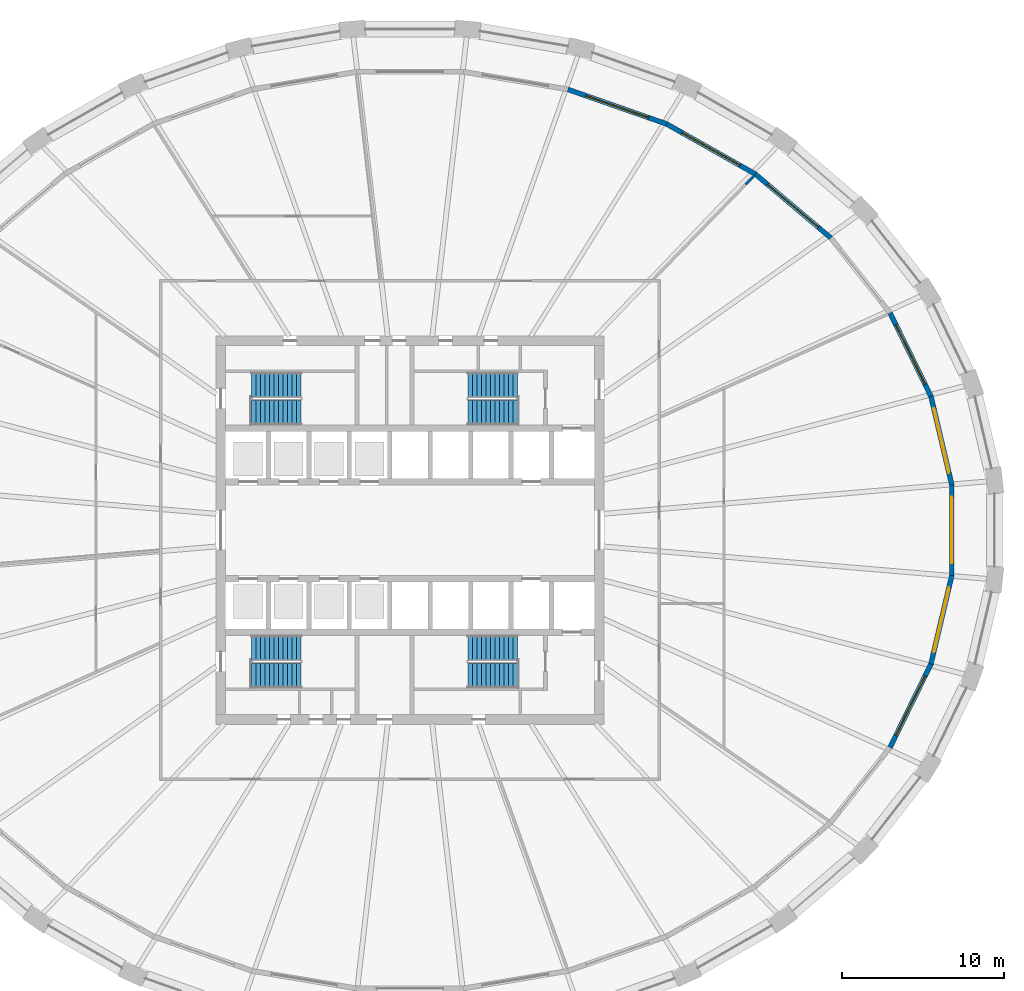
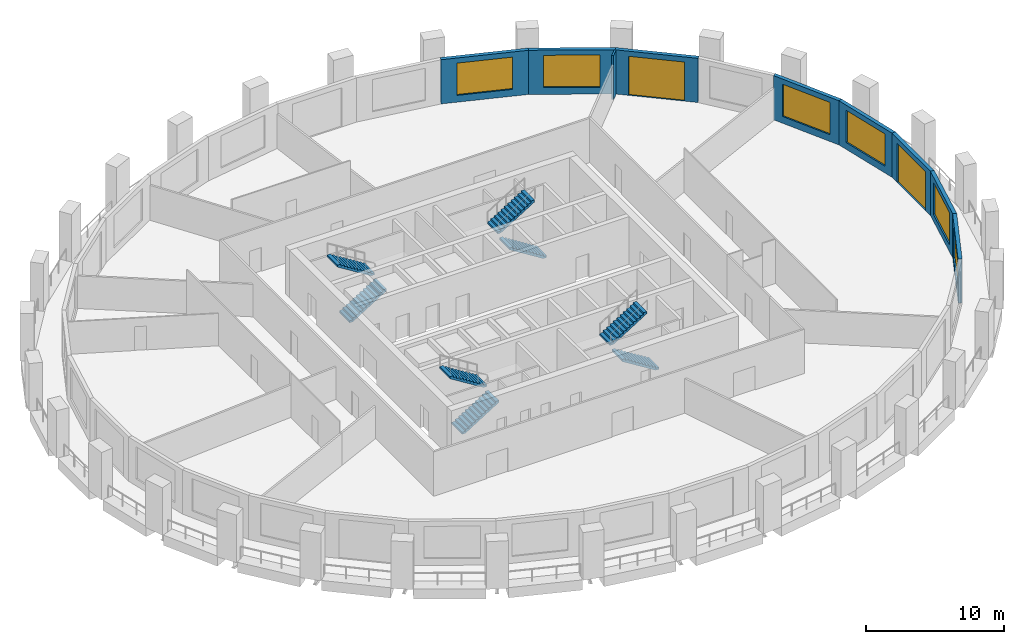
# One storey, part 7 of 10: 9 walls, 8 stair flights, 6 windows, 2 doors, 8 openings, 4 elements without a shape of their own.
"""IFC4 building model written with IfcOpenShell, lengths in metres."""

from ifc_helpers import new_model, si_unit, direction, frame, frame_2d, origin, place, context, subcontext, project, spatial, polyline, rectangle, outline, extrude, material, layer, layer_set, type_object, element, fill, aggregate, save


model = new_model("IFC4")

# Units and contexts
model_context = context("Model", 3, precision=1e-05, world=origin(), true_north=direction((0.0, 1.0)))
body_context = subcontext(model_context, "Body", "Model", "MODEL_VIEW")
ifc_project = project(units=[si_unit("LENGTHUNIT", "METRE"), si_unit("AREAUNIT", "SQUARE_METRE"), si_unit("VOLUMEUNIT", "CUBIC_METRE"), si_unit("PLANEANGLEUNIT", "RADIAN"), si_unit("MASSUNIT", "GRAM", prefix="KILO")], contexts=[model_context])

# Site, building, storey
site_placement = place(None, origin())
site = spatial("IfcSite", under=ifc_project, at=site_placement, CompositionType="ELEMENT")
building_placement = place(site_placement, origin())
building = spatial("IfcBuilding", under=site, at=building_placement, Name="Halqa Exchange Tower", CompositionType="ELEMENT")
storey_placement = place(building_placement, frame((0.0, 0.0, 90.699951171875)))
storey = spatial("IfcBuildingStorey", under=building, at=storey_placement, Name="L20", CompositionType="ELEMENT", Elevation=90.699951171875)

# Wall
ifc_material_1 = material(Name="Fire-rated gypsum board")
ifc_layer_1 = layer(ifc_material_1, 0.14990234375)
ifc_layer_set_1 = layer_set([ifc_layer_1], Name="Fire-rated gypsum board")
wall_type_1 = type_object("IfcWallType", Name="Fire partition EI 60 150", PredefinedType="PARTITIONING", material=ifc_layer_set_1)
wall_1_placement = place(storey_placement, frame((20.738525390625, 21.357666015625, 0.0), z_axis=(0.0, 0.0, 1.0), x_axis=(0.697039010439, 0.717033205595, 0.0)))
element("IfcWall", 1, at=wall_1_placement, inside=storey, type_object=wall_type_1, Name="L20-PWL-024", PredefinedType="PARTITIONING", context=body_context, shape_type="SweptSolid", body=[
    extrude(outline(polyline([(0.0, 0.074951171875), (0.0, -0.074951171875), (0.708251953125, -0.074951171875), (0.708251953125, 0.074951171875), (0.0, 0.074951171875)])), origin(), (0.0, 0.0, 1.0), 3.900146484375),
])

# Wall, opening, window
ifc_material_2 = material(Name="Limestone cladding", Category="masonry")
ifc_layer_2 = layer(ifc_material_2, 0.0400390625)
ifc_material_3 = material(Name="Ventilated cavity")
ifc_layer_3 = layer(ifc_material_3, 0.030029296875, ventilated=True)
ifc_material_4 = material(Name="Mineral wool insulation")
ifc_layer_4 = layer(ifc_material_4, 0.10009765625)
ifc_material_5 = material(Name="Concrete C30/37", Category="concrete")
ifc_layer_5 = layer(ifc_material_5, 0.10009765625)
ifc_material_6 = material(Name="Internal plaster")
ifc_layer_6 = layer(ifc_material_6, 0.030029296875)
ifc_layer_set_2 = layer_set([ifc_layer_2, ifc_layer_3, ifc_layer_4, ifc_layer_5, ifc_layer_6], Name="Stone-faced insulated wall 300")
wall_type_2 = type_object("IfcWallType", Name="Stone-faced insulated wall 300", PredefinedType="STANDARD", material=ifc_layer_set_2)
wall_2_placement = place(storey_placement, frame((33.478271484375, 2.791748046875, 0.0), z_axis=(0.0, 0.0, 1.0), x_axis=(-0.229073200999, 0.973409198941, 0.0)))
wall_2 = element("IfcWall", 2, at=wall_2_placement, inside=storey, type_object=wall_type_2, Name="Glass-line wall 1", PredefinedType="STANDARD", context=body_context, shape_type="SweptSolid", body=[
    extrude(outline(polyline([(-0.017333984375, -0.14990234375), (5.64208984375, -0.14990234375), (5.6083984375, 0.14990234375), (0.017333984375, 0.14990234375), (-0.017333984375, -0.14990234375)])), origin(), (0.0, 0.0, 1.0), 3.900146484375),
])
opening_1_placement = place(wall_2_placement, frame((0.7626953125, 0.0, 0.60009765625)))
opening_1 = element("IfcOpeningElement", 3, at=opening_1_placement, cuts=wall_2, Name="Opening W-F1-01", PredefinedType="OPENING", context=body_context, shape_type="SweptSolid", body=[
    extrude(rectangle(XDim=4.10009765625, YDim=2.85009765625, at=frame_2d((2.050048828125, 1.425048828125))), frame((0.0, 0.162109375, 0.0), z_axis=(0.0, -1.0, 0.0), x_axis=(1.0, 0.0, 0.0)), (0.0, 0.0, 1.0), 0.323974609375),
])
ifc_material_7 = material(Name="Clear low-emissivity glass in aluminium frame", Category="aluminium")
window_type = type_object("IfcWindowType", Name="Fixed clear glazed window 4100 x 2850", PartitioningType="TRIPLE_PANEL_VERTICAL", PredefinedType="WINDOW", material=ifc_material_7)
window_1_placement = place(opening_1_placement, origin())
window_1 = element("IfcWindow", 4, at=window_1_placement, inside=storey, type_object=window_type, Name="Window 1", OverallHeight=2.85009765625, OverallWidth=4.10009765625, PartitioningType="TRIPLE_PANEL_VERTICAL", PredefinedType="WINDOW", context=body_context, shape_type="SweptSolid", body=[
    extrude(rectangle(XDim=4.10009765625, YDim=2.85009765625, at=frame_2d((2.050048828125, 1.425048828125))), frame((0.0, 0.030029296875, 0.0), z_axis=(0.0, -1.0, 0.0), x_axis=(1.0, 0.0, 0.0)), (0.0, 0.0, 1.0), 0.06005859375),
])
fill(opening_1, window_1)

wall_3_placement = place(storey_placement, frame((32.189697265625, 8.267333984375, 0.0), z_axis=(0.0, 0.0, 1.0), x_axis=(-0.44010747541, 0.897945104162, 0.0)))
wall_3 = element("IfcWall", 5, at=wall_3_placement, inside=storey, type_object=wall_type_2, Name="Glass-line wall 2", PredefinedType="STANDARD", context=body_context, shape_type="SweptSolid", body=[
    extrude(outline(polyline([(-0.016845703125, -0.14990234375), (5.758056640625, -0.14990234375), (5.725830078125, 0.14990234375), (0.016845703125, 0.14990234375), (-0.016845703125, -0.14990234375)])), origin(), (0.0, 0.0, 1.0), 3.900146484375),
])
opening_2_placement = place(wall_3_placement, frame((0.821044921875, 0.0, 0.60009765625)))
opening_2 = element("IfcOpeningElement", 6, at=opening_2_placement, cuts=wall_3, Name="Opening W-F1-02", PredefinedType="OPENING", context=body_context, shape_type="SweptSolid", body=[
    extrude(rectangle(XDim=4.10009765625, YDim=2.85009765625, at=frame_2d((2.050048828125, 1.425048828125))), frame((0.0, 0.162109375, 0.0), z_axis=(0.0, -1.0, 0.0), x_axis=(1.0, 0.0, 0.0)), (0.0, 0.0, 1.0), 0.323974609375),
])
window_2_placement = place(opening_2_placement, origin())
window_2 = element("IfcWindow", 7, at=window_2_placement, inside=storey, type_object=window_type, Name="Window 1", OverallHeight=2.85009765625, OverallWidth=4.10009765625, PartitioningType="TRIPLE_PANEL_VERTICAL", PredefinedType="WINDOW", context=body_context, shape_type="SweptSolid", body=[
    extrude(rectangle(XDim=4.10009765625, YDim=2.85009765625, at=frame_2d((2.050048828125, 1.425048828125))), frame((0.0, 0.030029296875, 0.0), z_axis=(0.0, -1.0, 0.0), x_axis=(1.0, 0.0, 0.0)), (0.0, 0.0, 1.0), 0.06005859375),
])
fill(opening_2, window_2)

# Wall, opening, door
wall_4_placement = place(storey_placement, frame((25.99609375, 18.0615234375, 0.0), z_axis=(0.0, 0.0, 1.0), x_axis=(-0.763753100684, 0.645508482667, 0.0)))
wall_4 = element("IfcWall", 8, at=wall_4_placement, inside=storey, type_object=wall_type_2, Name="Glass-line wall 4", PredefinedType="STANDARD", context=body_context, shape_type="SweptSolid", body=[
    extrude(outline(polyline([(-0.01513671875, -0.14990234375), (6.12158203125, -0.14990234375), (6.09326171875, 0.14990234375), (0.01513671875, 0.14990234375), (-0.01513671875, -0.14990234375)])), origin(), (0.0, 0.0, 1.0), 3.900146484375),
])
opening_3_placement = place(wall_4_placement, frame((1.003662109375, 0.0, 0.0)))
opening_3 = element("IfcOpeningElement", 9, at=opening_3_placement, cuts=wall_4, Name="Opening LG-F1-01", PredefinedType="OPENING", context=body_context, shape_type="SweptSolid", body=[
    extrude(rectangle(XDim=4.10009765625, YDim=3.449951171875, at=frame_2d((2.050048828125, 1.72509765625))), frame((0.0, 0.162109375, 0.0), z_axis=(0.0, -1.0, 0.0), x_axis=(1.0, 0.0, 0.0)), (0.0, 0.0, 1.0), 0.323974609375),
])
door_type = type_object("IfcDoorType", Name="Glazed sliding loggia door 4100 x 3450", OperationType="DOUBLE_DOOR_SLIDING", PredefinedType="DOOR", material=ifc_material_7)
door_1_placement = place(opening_3_placement, origin())
door_1 = element("IfcDoor", 10, at=door_1_placement, inside=storey, type_object=door_type, Name="Loggia door 1", OperationType="DOUBLE_DOOR_SLIDING", OverallHeight=3.449951171875, OverallWidth=4.10009765625, PredefinedType="DOOR", context=body_context, shape_type="SweptSolid", body=[
    extrude(rectangle(XDim=4.10009765625, YDim=3.449951171875, at=frame_2d((2.050048828125, 1.72509765625))), frame((0.0, 0.02490234375, 0.0), z_axis=(0.0, -1.0, 0.0), x_axis=(1.0, 0.0, 0.0)), (0.0, 0.0, 1.0), 0.050048828125),
])
fill(opening_3, door_1)

# Wall, opening, window
wall_5_placement = place(storey_placement, frame((21.33154296875, 22.00390625, 0.0), z_axis=(0.0, 0.0, 1.0), x_axis=(-0.870737550302, 0.491748023376, 0.0)))
wall_5 = element("IfcWall", 11, at=wall_5_placement, inside=storey, type_object=wall_type_2, Name="Glass-line wall 5", PredefinedType="STANDARD", context=body_context, shape_type="SweptSolid", body=[
    extrude(outline(polyline([(-0.01416015625, -0.14990234375), (6.309814453125, -0.14990234375), (6.282958984375, 0.14990234375), (0.01416015625, 0.14990234375), (-0.01416015625, -0.14990234375)])), origin(), (0.0, 0.0, 1.0), 3.900146484375),
])
opening_4_placement = place(wall_5_placement, frame((1.09814453125, 0.0, 0.60009765625)))
opening_4 = element("IfcOpeningElement", 12, at=opening_4_placement, cuts=wall_5, Name="Opening W-F1-05", PredefinedType="OPENING", context=body_context, shape_type="SweptSolid", body=[
    extrude(rectangle(XDim=4.10009765625, YDim=2.85009765625, at=frame_2d((2.050048828125, 1.425048828125))), frame((0.0, 0.162109375, 0.0), z_axis=(0.0, -1.0, 0.0), x_axis=(1.0, 0.0, 0.0)), (0.0, 0.0, 1.0), 0.323974609375),
])
window_3_placement = place(opening_4_placement, origin())
window_3 = element("IfcWindow", 13, at=window_3_placement, inside=storey, type_object=window_type, Name="Window 1", OverallHeight=2.85009765625, OverallWidth=4.10009765625, PartitioningType="TRIPLE_PANEL_VERTICAL", PredefinedType="WINDOW", context=body_context, shape_type="SweptSolid", body=[
    extrude(rectangle(XDim=4.10009765625, YDim=2.85009765625, at=frame_2d((2.050048828125, 1.425048828125))), frame((0.0, 0.030029296875, 0.0), z_axis=(0.0, -1.0, 0.0), x_axis=(1.0, 0.0, 0.0)), (0.0, 0.0, 1.0), 0.06005859375),
])
fill(opening_4, window_3)

wall_6_placement = place(storey_placement, frame((15.84912109375, 25.10009765625, 0.0), z_axis=(0.0, 0.0, 1.0), x_axis=(-0.943820008365, 0.330459970057, 0.0)))
wall_6 = element("IfcWall", 14, at=wall_6_placement, inside=storey, type_object=wall_type_2, Name="Glass-line wall 6", PredefinedType="STANDARD", context=body_context, shape_type="SweptSolid", body=[
    extrude(outline(polyline([(-0.013427734375, -0.14990234375), (6.46533203125, -0.14990234375), (6.43994140625, 0.14990234375), (0.013427734375, 0.14990234375), (-0.013427734375, -0.14990234375)])), origin(), (0.0, 0.0, 1.0), 3.900146484375),
])
opening_5_placement = place(wall_6_placement, frame((1.17626953125, 0.0, 0.60009765625)))
opening_5 = element("IfcOpeningElement", 15, at=opening_5_placement, cuts=wall_6, Name="Opening W-F1-06", PredefinedType="OPENING", context=body_context, shape_type="SweptSolid", body=[
    extrude(rectangle(XDim=4.10009765625, YDim=2.85009765625, at=frame_2d((2.050048828125, 1.425048828125))), frame((0.0, 0.162109375, 0.0), z_axis=(0.0, -1.0, 0.0), x_axis=(1.0, 0.0, 0.0)), (0.0, 0.0, 1.0), 0.323974609375),
])
window_4_placement = place(opening_5_placement, origin())
window_4 = element("IfcWindow", 16, at=window_4_placement, inside=storey, type_object=window_type, Name="Window 1", OverallHeight=2.85009765625, OverallWidth=4.10009765625, PartitioningType="TRIPLE_PANEL_VERTICAL", PredefinedType="WINDOW", context=body_context, shape_type="SweptSolid", body=[
    extrude(rectangle(XDim=4.10009765625, YDim=2.85009765625, at=frame_2d((2.050048828125, 1.425048828125))), frame((0.0, 0.030029296875, 0.0), z_axis=(0.0, -1.0, 0.0), x_axis=(1.0, 0.0, 0.0)), (0.0, 0.0, 1.0), 0.06005859375),
])
fill(opening_5, window_4)

wall_7_placement = place(storey_placement, frame((29.66259765625, -13.42333984375, 0.0), z_axis=(0.0, 0.0, 1.0), x_axis=(0.44010747541, 0.897945104162, 0.0)))
wall_7 = element("IfcWall", 17, at=wall_7_placement, inside=storey, type_object=wall_type_2, Name="Glass-line wall 30", PredefinedType="STANDARD", context=body_context, shape_type="SweptSolid", body=[
    extrude(outline(polyline([(-0.01611328125, -0.14990234375), (5.7587890625, -0.14990234375), (5.72509765625, 0.14990234375), (0.01611328125, 0.14990234375), (-0.01611328125, -0.14990234375)])), origin(), (0.0, 0.0, 1.0), 3.900146484375),
])
opening_6_placement = place(wall_7_placement, frame((0.821044921875, 0.0, 0.60009765625)))
opening_6 = element("IfcOpeningElement", 18, at=opening_6_placement, cuts=wall_7, Name="Opening W-F1-30", PredefinedType="OPENING", context=body_context, shape_type="SweptSolid", body=[
    extrude(rectangle(XDim=4.10009765625, YDim=2.85009765625, at=frame_2d((2.050048828125, 1.425048828125))), frame((0.0, 0.162109375, 0.0), z_axis=(0.0, -1.0, 0.0), x_axis=(1.0, 0.0, 0.0)), (0.0, 0.0, 1.0), 0.323974609375),
])
window_5_placement = place(opening_6_placement, origin())
window_5 = element("IfcWindow", 19, at=window_5_placement, inside=storey, type_object=window_type, Name="Window 1", OverallHeight=2.85009765625, OverallWidth=4.10009765625, PartitioningType="TRIPLE_PANEL_VERTICAL", PredefinedType="WINDOW", context=body_context, shape_type="SweptSolid", body=[
    extrude(rectangle(XDim=4.10009765625, YDim=2.85009765625, at=frame_2d((2.050048828125, 1.425048828125))), frame((0.0, 0.030029296875, 0.0), z_axis=(0.0, -1.0, 0.0), x_axis=(1.0, 0.0, 0.0)), (0.0, 0.0, 1.0), 0.06005859375),
])
fill(opening_6, window_5)

wall_8_placement = place(storey_placement, frame((32.189697265625, -8.267333984375, 0.0), z_axis=(0.0, 0.0, 1.0), x_axis=(0.229073200999, 0.973409198941, 0.0)))
wall_8 = element("IfcWall", 20, at=wall_8_placement, inside=storey, type_object=wall_type_2, Name="Glass-line wall 31", PredefinedType="STANDARD", context=body_context, shape_type="SweptSolid", body=[
    extrude(outline(polyline([(-0.016845703125, -0.14990234375), (5.642578125, -0.14990234375), (5.60791015625, 0.14990234375), (0.016845703125, 0.14990234375), (-0.016845703125, -0.14990234375)])), origin(), (0.0, 0.0, 1.0), 3.900146484375),
])
opening_7_placement = place(wall_8_placement, frame((0.7626953125, 0.0, 0.60009765625)))
opening_7 = element("IfcOpeningElement", 21, at=opening_7_placement, cuts=wall_8, Name="Opening W-F1-31", PredefinedType="OPENING", context=body_context, shape_type="SweptSolid", body=[
    extrude(rectangle(XDim=4.10009765625, YDim=2.85009765625, at=frame_2d((2.050048828125, 1.425048828125))), frame((0.0, 0.162109375, 0.0), z_axis=(0.0, -1.0, 0.0), x_axis=(1.0, 0.0, 0.0)), (0.0, 0.0, 1.0), 0.323974609375),
])
window_6_placement = place(opening_7_placement, origin())
window_6 = element("IfcWindow", 22, at=window_6_placement, inside=storey, type_object=window_type, Name="Window 1", OverallHeight=2.85009765625, OverallWidth=4.10009765625, PartitioningType="TRIPLE_PANEL_VERTICAL", PredefinedType="WINDOW", context=body_context, shape_type="SweptSolid", body=[
    extrude(rectangle(XDim=4.10009765625, YDim=2.85009765625, at=frame_2d((2.050048828125, 1.425048828125))), frame((0.0, 0.030029296875, 0.0), z_axis=(0.0, -1.0, 0.0), x_axis=(1.0, 0.0, 0.0)), (0.0, 0.0, 1.0), 0.06005859375),
])
fill(opening_7, window_6)

# Wall, opening, door
wall_9_placement = place(storey_placement, frame((33.478271484375, -2.791748046875, 0.0), z_axis=(0.0, 0.0, 1.0), x_axis=(0.0, 1.0, 0.0)))
wall_9 = element("IfcWall", 23, at=wall_9_placement, inside=storey, type_object=wall_type_2, Name="Glass-line wall 32", PredefinedType="STANDARD", context=body_context, shape_type="SweptSolid", body=[
    extrude(outline(polyline([(-0.017333984375, -0.14990234375), (5.600830078125, -0.14990234375), (5.566162109375, 0.14990234375), (0.017333984375, 0.14990234375), (-0.017333984375, -0.14990234375)])), origin(), (0.0, 0.0, 1.0), 3.900146484375),
])
opening_8_placement = place(wall_9_placement, frame((0.74169921875, 0.0, 0.0)))
opening_8 = element("IfcOpeningElement", 24, at=opening_8_placement, cuts=wall_9, Name="Opening LG-F1-08", PredefinedType="OPENING", context=body_context, shape_type="SweptSolid", body=[
    extrude(rectangle(XDim=4.10009765625, YDim=3.449951171875, at=frame_2d((2.050048828125, 1.72509765625))), frame((0.0, 0.162109375, 0.0), z_axis=(0.0, -1.0, 0.0), x_axis=(1.0, 0.0, 0.0)), (0.0, 0.0, 1.0), 0.323974609375),
])
door_2_placement = place(opening_8_placement, origin())
door_2 = element("IfcDoor", 25, at=door_2_placement, inside=storey, type_object=door_type, Name="Loggia door 8", OperationType="DOUBLE_DOOR_SLIDING", OverallHeight=3.449951171875, OverallWidth=4.10009765625, PredefinedType="DOOR", context=body_context, shape_type="SweptSolid", body=[
    extrude(rectangle(XDim=4.10009765625, YDim=3.449951171875, at=frame_2d((2.050048828125, 1.72509765625))), frame((0.0, 0.02490234375, 0.0), z_axis=(0.0, -1.0, 0.0), x_axis=(1.0, 0.0, 0.0)), (0.0, 0.0, 1.0), 0.050048828125),
])
fill(opening_8, door_2)

# Stair, stair flights
stair_type = type_object("IfcStairType", Name="Exit stair 1500 wide", PredefinedType="HALF_TURN_STAIR", material=ifc_material_5)
stair_1_placement = place(storey_placement, origin())
stair_1 = element("IfcStair", 26, at=stair_1_placement, inside=storey, type_object=stair_type, Name="Exit stair ST1", PredefinedType="HALF_TURN_STAIR")
stair_flight_type = type_object("IfcStairFlightType", Name="Stair flight 1500 wide", PredefinedType="STRAIGHT", material=ifc_material_5)
stair_flight_1_placement = place(storey_placement, frame((-9.800048828125, 7.25, 0.0), z_axis=(0.0, 0.0, 1.0), x_axis=(1.0, 0.0, 0.0)))
stair_flight_1 = element("IfcStairFlight", 27, at=stair_flight_1_placement, type_object=stair_flight_type, Name="ST1 flight 1", NumberOfRisers=12, NumberOfTreads=11, PredefinedType="STRAIGHT", RiserHeight=0.175, TreadLength=0.28, context=body_context, shape_type="SweptSolid", body=[
    extrude(outline(polyline([(0.0, 0.0), (0.0, 0.175048828125), (0.280029296875, 0.175048828125), (0.280029296875, 0.35009765625), (0.56005859375, 0.35009765625), (0.56005859375, 0.52490234375), (0.840087890625, 0.52490234375), (0.840087890625, 0.699951171875), (1.1201171875, 0.699951171875), (1.1201171875, 0.875), (1.39990234375, 0.875), (1.39990234375, 1.050048828125), (1.679931640625, 1.050048828125), (1.679931640625, 1.22509765625), (1.9599609375, 1.22509765625), (1.9599609375, 1.39990234375), (2.239990234375, 1.39990234375), (2.239990234375, 1.574951171875), (2.52001953125, 1.574951171875), (2.52001953125, 1.75), (2.800048828125, 1.75), (2.800048828125, 1.925048828125), (3.080078125, 1.925048828125), (3.080078125, 2.10009765625), (3.080078125, 1.748291015625), (0.28271484375, 0.0), (0.0, 0.0)])), frame((0.0, 0.75, 0.0), z_axis=(0.0, -1.0, 0.0), x_axis=(1.0, 0.0, 0.0)), (0.0, 0.0, 1.0), 1.5),
])
stair_flight_2_placement = place(storey_placement, frame((-6.719970703125, 9.0, 2.10009765625), z_axis=(0.0, 0.0, 1.0), x_axis=(-1.0, 0.0, 0.0)))
stair_flight_2 = element("IfcStairFlight", 28, at=stair_flight_2_placement, type_object=stair_flight_type, Name="ST1 flight 2", NumberOfRisers=12, NumberOfTreads=11, PredefinedType="STRAIGHT", RiserHeight=0.175, TreadLength=0.28, context=body_context, shape_type="SweptSolid", body=[
    extrude(outline(polyline([(0.0, 0.0), (0.0, 0.175048828125), (0.280029296875, 0.175048828125), (0.280029296875, 0.35009765625), (0.56005859375, 0.35009765625), (0.56005859375, 0.52490234375), (0.840087890625, 0.52490234375), (0.840087890625, 0.699951171875), (1.1201171875, 0.699951171875), (1.1201171875, 0.875), (1.39990234375, 0.875), (1.39990234375, 1.050048828125), (1.679931640625, 1.050048828125), (1.679931640625, 1.22509765625), (1.9599609375, 1.22509765625), (1.9599609375, 1.39990234375), (2.239990234375, 1.39990234375), (2.239990234375, 1.574951171875), (2.52001953125, 1.574951171875), (2.52001953125, 1.75), (2.800048828125, 1.75), (2.800048828125, 1.925048828125), (3.080078125, 1.925048828125), (3.080078125, 2.10009765625), (3.080078125, 1.748291015625), (0.28271484375, 0.0), (0.0, 0.0)])), frame((0.0, 0.75, 0.0), z_axis=(0.0, -1.0, 0.0), x_axis=(1.0, 0.0, 0.0)), (0.0, 0.0, 1.0), 1.5),
])
aggregate(stair_1, [stair_flight_1, stair_flight_2])

stair_2_placement = place(storey_placement, origin())
stair_2 = element("IfcStair", 29, at=stair_2_placement, inside=storey, type_object=stair_type, Name="Exit stair ST2", PredefinedType="HALF_TURN_STAIR")
stair_flight_3_placement = place(storey_placement, frame((6.64990234375, 7.25, 0.0), z_axis=(0.0, 0.0, 1.0), x_axis=(-1.0, 0.0, 0.0)))
stair_flight_3 = element("IfcStairFlight", 30, at=stair_flight_3_placement, type_object=stair_flight_type, Name="ST2 flight 1", NumberOfRisers=12, NumberOfTreads=11, PredefinedType="STRAIGHT", RiserHeight=0.175, TreadLength=0.28, context=body_context, shape_type="SweptSolid", body=[
    extrude(outline(polyline([(0.0, 0.0), (0.0, 0.175048828125), (0.280029296875, 0.175048828125), (0.280029296875, 0.35009765625), (0.56005859375, 0.35009765625), (0.56005859375, 0.52490234375), (0.840087890625, 0.52490234375), (0.840087890625, 0.699951171875), (1.1201171875, 0.699951171875), (1.1201171875, 0.875), (1.39990234375, 0.875), (1.39990234375, 1.050048828125), (1.679931640625, 1.050048828125), (1.679931640625, 1.22509765625), (1.9599609375, 1.22509765625), (1.9599609375, 1.39990234375), (2.239990234375, 1.39990234375), (2.239990234375, 1.574951171875), (2.52001953125, 1.574951171875), (2.52001953125, 1.75), (2.800048828125, 1.75), (2.800048828125, 1.925048828125), (3.080078125, 1.925048828125), (3.080078125, 2.10009765625), (3.080078125, 1.748291015625), (0.28271484375, 0.0), (0.0, 0.0)])), frame((0.0, 0.75, 0.0), z_axis=(0.0, -1.0, 0.0), x_axis=(1.0, 0.0, 0.0)), (0.0, 0.0, 1.0), 1.5),
])
stair_flight_4_placement = place(storey_placement, frame((3.570068359375, 9.0, 2.10009765625), z_axis=(0.0, 0.0, 1.0), x_axis=(1.0, 0.0, 0.0)))
stair_flight_4 = element("IfcStairFlight", 31, at=stair_flight_4_placement, type_object=stair_flight_type, Name="ST2 flight 2", NumberOfRisers=12, NumberOfTreads=11, PredefinedType="STRAIGHT", RiserHeight=0.175, TreadLength=0.28, context=body_context, shape_type="SweptSolid", body=[
    extrude(outline(polyline([(0.0, 0.0), (0.0, 0.175048828125), (0.280029296875, 0.175048828125), (0.280029296875, 0.35009765625), (0.56005859375, 0.35009765625), (0.56005859375, 0.52490234375), (0.840087890625, 0.52490234375), (0.840087890625, 0.699951171875), (1.1201171875, 0.699951171875), (1.1201171875, 0.875), (1.39990234375, 0.875), (1.39990234375, 1.050048828125), (1.679931640625, 1.050048828125), (1.679931640625, 1.22509765625), (1.9599609375, 1.22509765625), (1.9599609375, 1.39990234375), (2.239990234375, 1.39990234375), (2.239990234375, 1.574951171875), (2.52001953125, 1.574951171875), (2.52001953125, 1.75), (2.800048828125, 1.75), (2.800048828125, 1.925048828125), (3.080078125, 1.925048828125), (3.080078125, 2.10009765625), (3.080078125, 1.748291015625), (0.28271484375, 0.0), (0.0, 0.0)])), frame((0.0, 0.75, 0.0), z_axis=(0.0, -1.0, 0.0), x_axis=(1.0, 0.0, 0.0)), (0.0, 0.0, 1.0), 1.5),
])
aggregate(stair_2, [stair_flight_3, stair_flight_4])

stair_3_placement = place(storey_placement, origin())
stair_3 = element("IfcStair", 32, at=stair_3_placement, inside=storey, type_object=stair_type, Name="Exit stair ST3", PredefinedType="HALF_TURN_STAIR")
stair_flight_5_placement = place(storey_placement, frame((-9.800048828125, -9.0, 0.0), z_axis=(0.0, 0.0, 1.0), x_axis=(1.0, 0.0, 0.0)))
stair_flight_5 = element("IfcStairFlight", 33, at=stair_flight_5_placement, type_object=stair_flight_type, Name="ST3 flight 1", NumberOfRisers=12, NumberOfTreads=11, PredefinedType="STRAIGHT", RiserHeight=0.175, TreadLength=0.28, context=body_context, shape_type="SweptSolid", body=[
    extrude(outline(polyline([(0.0, 0.0), (0.0, 0.175048828125), (0.280029296875, 0.175048828125), (0.280029296875, 0.35009765625), (0.56005859375, 0.35009765625), (0.56005859375, 0.52490234375), (0.840087890625, 0.52490234375), (0.840087890625, 0.699951171875), (1.1201171875, 0.699951171875), (1.1201171875, 0.875), (1.39990234375, 0.875), (1.39990234375, 1.050048828125), (1.679931640625, 1.050048828125), (1.679931640625, 1.22509765625), (1.9599609375, 1.22509765625), (1.9599609375, 1.39990234375), (2.239990234375, 1.39990234375), (2.239990234375, 1.574951171875), (2.52001953125, 1.574951171875), (2.52001953125, 1.75), (2.800048828125, 1.75), (2.800048828125, 1.925048828125), (3.080078125, 1.925048828125), (3.080078125, 2.10009765625), (3.080078125, 1.748291015625), (0.28271484375, 0.0), (0.0, 0.0)])), frame((0.0, 0.75, 0.0), z_axis=(0.0, -1.0, 0.0), x_axis=(1.0, 0.0, 0.0)), (0.0, 0.0, 1.0), 1.5),
])
stair_flight_6_placement = place(storey_placement, frame((-6.719970703125, -7.25, 2.10009765625), z_axis=(0.0, 0.0, 1.0), x_axis=(-1.0, 0.0, 0.0)))
stair_flight_6 = element("IfcStairFlight", 34, at=stair_flight_6_placement, type_object=stair_flight_type, Name="ST3 flight 2", NumberOfRisers=12, NumberOfTreads=11, PredefinedType="STRAIGHT", RiserHeight=0.175, TreadLength=0.28, context=body_context, shape_type="SweptSolid", body=[
    extrude(outline(polyline([(0.0, 0.0), (0.0, 0.175048828125), (0.280029296875, 0.175048828125), (0.280029296875, 0.35009765625), (0.56005859375, 0.35009765625), (0.56005859375, 0.52490234375), (0.840087890625, 0.52490234375), (0.840087890625, 0.699951171875), (1.1201171875, 0.699951171875), (1.1201171875, 0.875), (1.39990234375, 0.875), (1.39990234375, 1.050048828125), (1.679931640625, 1.050048828125), (1.679931640625, 1.22509765625), (1.9599609375, 1.22509765625), (1.9599609375, 1.39990234375), (2.239990234375, 1.39990234375), (2.239990234375, 1.574951171875), (2.52001953125, 1.574951171875), (2.52001953125, 1.75), (2.800048828125, 1.75), (2.800048828125, 1.925048828125), (3.080078125, 1.925048828125), (3.080078125, 2.10009765625), (3.080078125, 1.748291015625), (0.28271484375, 0.0), (0.0, 0.0)])), frame((0.0, 0.75, 0.0), z_axis=(0.0, -1.0, 0.0), x_axis=(1.0, 0.0, 0.0)), (0.0, 0.0, 1.0), 1.5),
])
aggregate(stair_3, [stair_flight_5, stair_flight_6])

stair_4_placement = place(storey_placement, origin())
stair_4 = element("IfcStair", 35, at=stair_4_placement, inside=storey, type_object=stair_type, Name="Exit stair ST4", PredefinedType="HALF_TURN_STAIR")
stair_flight_7_placement = place(storey_placement, frame((6.64990234375, -9.0, 0.0), z_axis=(0.0, 0.0, 1.0), x_axis=(-1.0, 0.0, 0.0)))
stair_flight_7 = element("IfcStairFlight", 36, at=stair_flight_7_placement, type_object=stair_flight_type, Name="ST4 flight 1", NumberOfRisers=12, NumberOfTreads=11, PredefinedType="STRAIGHT", RiserHeight=0.175, TreadLength=0.28, context=body_context, shape_type="SweptSolid", body=[
    extrude(outline(polyline([(0.0, 0.0), (0.0, 0.175048828125), (0.280029296875, 0.175048828125), (0.280029296875, 0.35009765625), (0.56005859375, 0.35009765625), (0.56005859375, 0.52490234375), (0.840087890625, 0.52490234375), (0.840087890625, 0.699951171875), (1.1201171875, 0.699951171875), (1.1201171875, 0.875), (1.39990234375, 0.875), (1.39990234375, 1.050048828125), (1.679931640625, 1.050048828125), (1.679931640625, 1.22509765625), (1.9599609375, 1.22509765625), (1.9599609375, 1.39990234375), (2.239990234375, 1.39990234375), (2.239990234375, 1.574951171875), (2.52001953125, 1.574951171875), (2.52001953125, 1.75), (2.800048828125, 1.75), (2.800048828125, 1.925048828125), (3.080078125, 1.925048828125), (3.080078125, 2.10009765625), (3.080078125, 1.748291015625), (0.28271484375, 0.0), (0.0, 0.0)])), frame((0.0, 0.75, 0.0), z_axis=(0.0, -1.0, 0.0), x_axis=(1.0, 0.0, 0.0)), (0.0, 0.0, 1.0), 1.5),
])
stair_flight_8_placement = place(storey_placement, frame((3.570068359375, -7.25, 2.10009765625), z_axis=(0.0, 0.0, 1.0), x_axis=(1.0, 0.0, 0.0)))
stair_flight_8 = element("IfcStairFlight", 37, at=stair_flight_8_placement, type_object=stair_flight_type, Name="ST4 flight 2", NumberOfRisers=12, NumberOfTreads=11, PredefinedType="STRAIGHT", RiserHeight=0.175, TreadLength=0.28, context=body_context, shape_type="SweptSolid", body=[
    extrude(outline(polyline([(0.0, 0.0), (0.0, 0.175048828125), (0.280029296875, 0.175048828125), (0.280029296875, 0.35009765625), (0.56005859375, 0.35009765625), (0.56005859375, 0.52490234375), (0.840087890625, 0.52490234375), (0.840087890625, 0.699951171875), (1.1201171875, 0.699951171875), (1.1201171875, 0.875), (1.39990234375, 0.875), (1.39990234375, 1.050048828125), (1.679931640625, 1.050048828125), (1.679931640625, 1.22509765625), (1.9599609375, 1.22509765625), (1.9599609375, 1.39990234375), (2.239990234375, 1.39990234375), (2.239990234375, 1.574951171875), (2.52001953125, 1.574951171875), (2.52001953125, 1.75), (2.800048828125, 1.75), (2.800048828125, 1.925048828125), (3.080078125, 1.925048828125), (3.080078125, 2.10009765625), (3.080078125, 1.748291015625), (0.28271484375, 0.0), (0.0, 0.0)])), frame((0.0, 0.75, 0.0), z_axis=(0.0, -1.0, 0.0), x_axis=(1.0, 0.0, 0.0)), (0.0, 0.0, 1.0), 1.5),
])
aggregate(stair_4, [stair_flight_7, stair_flight_8])

save(model, "model.ifc")
